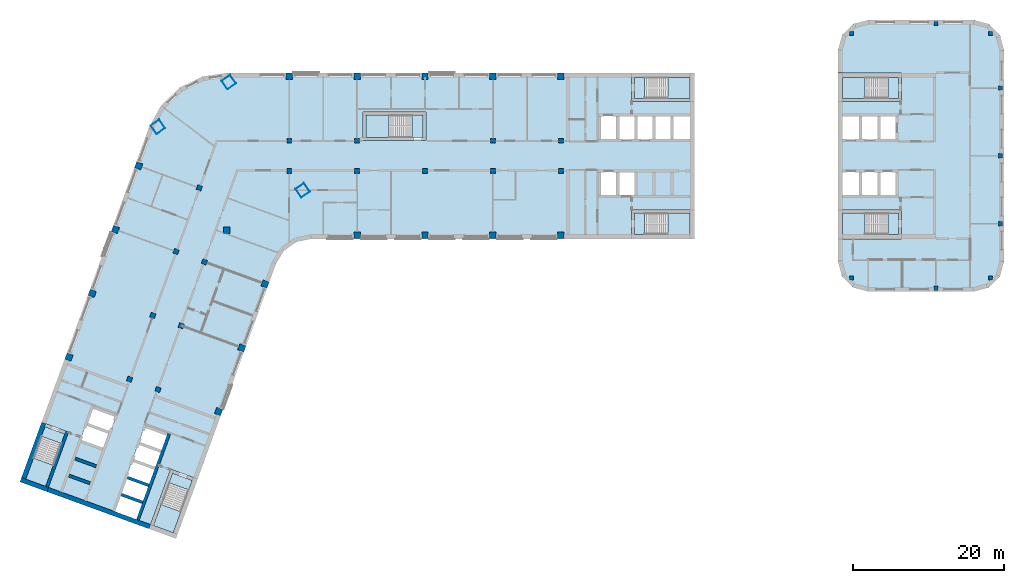
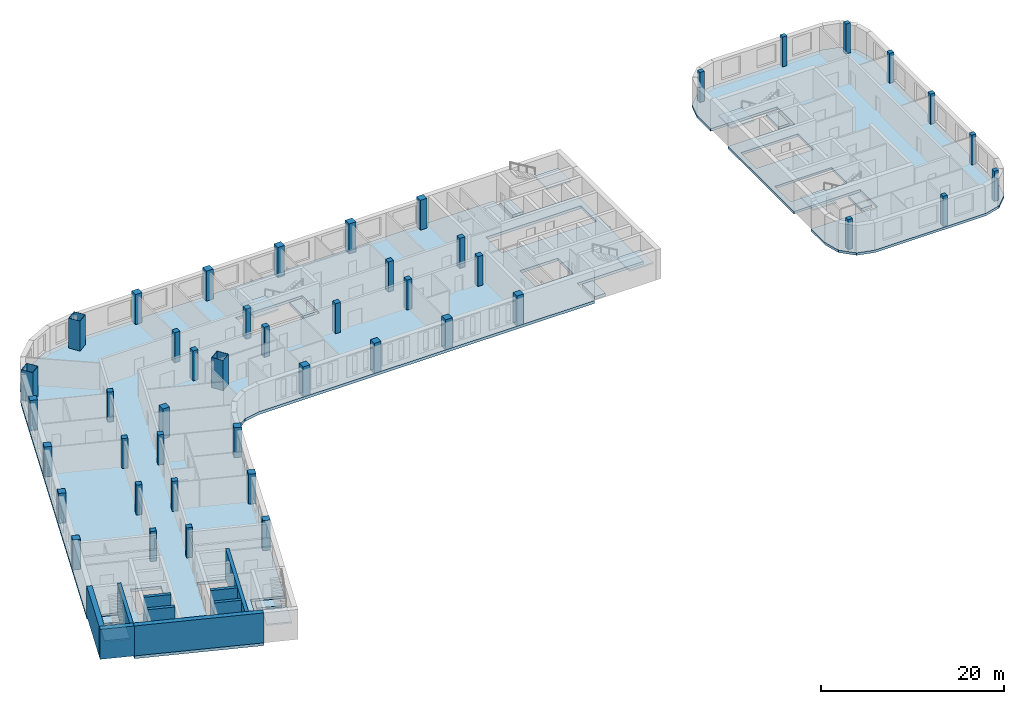
# One storey, part 1 of 10: 45 columns, 16 slabs, 9 walls, 7 elements without a shape of their own.
"""IFC4 building model written with IfcOpenShell, lengths in metres."""

from ifc_helpers import new_model, si_unit, direction, frame, frame_2d, origin, origin_2d, place, context, subcontext, project, spatial, polyline, rectangle, hollow_rectangle, outline, extrude, material, layer, layer_set, material_profile, profile_set, type_object, element, aggregate, save


model = new_model("IFC4")

# Units and contexts
model_context = context("Model", 3, precision=1e-05, world=origin(), true_north=direction((0.0, 1.0)))
body_context = subcontext(model_context, "Body", "Model", "MODEL_VIEW")
ifc_project = project(units=[si_unit("LENGTHUNIT", "METRE"), si_unit("AREAUNIT", "SQUARE_METRE"), si_unit("VOLUMEUNIT", "CUBIC_METRE"), si_unit("PLANEANGLEUNIT", "RADIAN"), si_unit("MASSUNIT", "GRAM", prefix="KILO")], contexts=[model_context])

# Site, building, storey
site_placement = place(None, origin())
site = spatial("IfcSite", under=ifc_project, at=site_placement, CompositionType="ELEMENT")
building_placement = place(site_placement, origin())
building = spatial("IfcBuilding", under=site, at=building_placement, Name="Skarvind Civic Tower", CompositionType="ELEMENT")
storey_placement = place(building_placement, frame((0.0, 0.0, 101.0)))
storey = spatial("IfcBuildingStorey", under=building, at=storey_placement, Name="L23", CompositionType="ELEMENT", Elevation=101.0)

# Columns
ifc_material_1 = material(Name="Concrete C60", Category="concrete")
ifc_material_profile_1 = material_profile(ifc_material_1, rectangle(XDim=0.550048828125, YDim=0.550048828125, at=origin_2d()), Name="RC-550x550")
ifc_profile_set_1 = profile_set([ifc_material_profile_1], Name="Concrete C60")
column_type_1 = type_object("IfcColumnType", Name="Column RC-550x550 C60", PredefinedType="COLUMN", material=ifc_profile_set_1)
for number, where, z_axis, x_axis, name in (
    (1, (128.777099609375, 144.222900390625, 0.0), (0.0, 0.0, 1.0), (1.0, 0.0, 0.0), "Column second tower north-west corner L23"),
    (2, (128.777099609375, 111.777099609375, 0.0), (0.0, 0.0, 1.0), (1.0, 0.0, 0.0), "Column second tower south-west corner L23"),
    (3, (148.550048828125, 119.0, 0.0), (0.0, 0.0, 1.0), (1.0, 0.0, 0.0), "Column second tower middle line 01 L23"),
    (4, (148.550048828125, 128.0, 0.0), (0.0, 0.0, 1.0), (1.0, 0.0, 0.0), "Column second tower middle line 02 L23"),
    (5, (148.550048828125, 137.0, 0.0), (0.0, 0.0, 1.0), (1.0, 0.0, 0.0), "Column second tower middle line 03 L23"),
    (6, (140.0, 145.550048828125, 0.0), (0.0, 0.0, 1.0), (1.0, 0.0, 0.0), "Column second tower north perimeter 02 L23"),
    (7, (147.222900390625, 144.222900390625, 0.0), (0.0, 0.0, 1.0), (1.0, 0.0, 0.0), "Column second tower north perimeter 03 L23"),
    (8, (140.0, 110.449951171875, 0.0), (0.0, 0.0, 1.0), (1.0, 0.0, 0.0), "Column second tower south perimeter 02 L23"),
    (9, (147.222900390625, 111.777099609375, 0.0), (0.0, 0.0, 1.0), (1.0, 0.0, 0.0), "Column second tower south perimeter 03 L23"),
):
    element("IfcColumn", number, at=place(storey_placement, frame(where, z_axis=z_axis, x_axis=x_axis)), inside=storey, type_object=column_type_1, Name=name, PredefinedType="COLUMN", context=body_context, shape_type="SweptSolid", body=[
        extrude(rectangle(XDim=0.550048828125, YDim=0.550048828125, at=origin_2d()), origin(), (0.0, 0.0, 1.0), 4.0),
    ])
ifc_material_profile_2 = material_profile(ifc_material_1, rectangle(XDim=0.64990234375, YDim=0.64990234375, at=origin_2d()), Name="RC-650x650")
ifc_profile_set_2 = profile_set([ifc_material_profile_2], Name="Concrete C60")
column_type_2 = type_object("IfcColumnType", Name="Column RC-650x650 C60", PredefinedType="COLUMN", material=ifc_profile_set_2)
for number, where, z_axis, x_axis, name in (
    (10, (54.25, 130.0, 0.0), (0.0, 0.0, 1.0), (1.0, 0.0, 0.0), "Column wing 1 north inner 02 L23"),
    (11, (63.25, 130.0, 0.0), (0.0, 0.0, 1.0), (1.0, 0.0, 0.0), "Column wing 1 north inner 03 L23"),
    (12, (81.25, 130.0, 0.0), (0.0, 0.0, 1.0), (1.0, 0.0, 0.0), "Column wing 1 north inner 05 L23"),
    (13, (90.25, 130.0, 0.0), (0.0, 0.0, 1.0), (1.0, 0.0, 0.0), "Column wing 1 north inner 06 L23"),
    (14, (54.25, 126.0, 0.0), (0.0, 0.0, 1.0), (1.0, 0.0, 0.0), "Column wing 1 south inner 02 L23"),
    (15, (63.25, 126.0, 0.0), (0.0, 0.0, 1.0), (1.0, 0.0, 0.0), "Column wing 1 south inner 03 L23"),
    (16, (72.25, 126.0, 0.0), (0.0, 0.0, 1.0), (1.0, 0.0, 0.0), "Column wing 1 south inner 04 L23"),
    (17, (81.25, 126.0, 0.0), (0.0, 0.0, 1.0), (1.0, 0.0, 0.0), "Column wing 1 south inner 05 L23"),
    (18, (90.25, 126.0, 0.0), (0.0, 0.0, 1.0), (1.0, 0.0, 0.0), "Column wing 1 south inner 06 L23"),
    (19, (43.005615234375, 113.92529296875, 0.0), (0.0, 0.0, 1.0), (-0.342020143326, -0.939692620786, 0.0), "Column wing 2 left inner 02 L23"),
    (20, (39.927490234375, 105.468017578125, 0.0), (0.0, 0.0, 1.0), (-0.342020143326, -0.939692620786, 0.0), "Column wing 2 left inner 03 L23"),
    (21, (36.84912109375, 97.010986328125, 0.0), (0.0, 0.0, 1.0), (-0.342020143326, -0.939692620786, 0.0), "Column wing 2 left inner 04 L23"),
    (22, (42.324951171875, 123.750732421875, 0.0), (0.0, 0.0, 1.0), (-0.342020143326, -0.939692620786, 0.0), "Column wing 2 right inner 01 L23"),
    (23, (39.246826171875, 115.29345703125, 0.0), (0.0, 0.0, 1.0), (-0.342020143326, -0.939692620786, 0.0), "Column wing 2 right inner 02 L23"),
    (24, (36.168701171875, 106.836181640625, 0.0), (0.0, 0.0, 1.0), (-0.342020143326, -0.939692620786, 0.0), "Column wing 2 right inner 03 L23"),
    (25, (33.090576171875, 98.37890625, 0.0), (0.0, 0.0, 1.0), (-0.342020143326, -0.939692620786, 0.0), "Column wing 2 right inner 04 L23"),
):
    element("IfcColumn", number, at=place(storey_placement, frame(where, z_axis=z_axis, x_axis=x_axis)), inside=storey, type_object=column_type_2, Name=name, PredefinedType="COLUMN", context=body_context, shape_type="SweptSolid", body=[
        extrude(rectangle(XDim=0.64990234375, YDim=0.64990234375, at=origin_2d()), origin(), (0.0, 0.0, 1.0), 4.0),
    ])
ifc_material_2 = material(Name="Concrete C80", Category="concrete")
ifc_material_profile_3 = material_profile(ifc_material_2, rectangle(XDim=0.85009765625, YDim=0.85009765625, at=origin_2d()), Name="RC-850x850")
ifc_profile_set_3 = profile_set([ifc_material_profile_3], Name="Concrete C80")
column_type_3 = type_object("IfcColumnType", Name="Column RC-850x850 C80", PredefinedType="COLUMN", material=ifc_profile_set_3)
for number, where, z_axis, x_axis, name in (
    (26, (54.25, 138.550048828125, 0.0), (0.0, 0.0, 1.0), (1.0, 0.0, 0.0), "Column wing 1 north perimeter 02 L23"),
    (27, (63.25, 138.550048828125, 0.0), (0.0, 0.0, 1.0), (1.0, 0.0, 0.0), "Column wing 1 north perimeter 03 L23"),
    (28, (72.25, 138.550048828125, 0.0), (0.0, 0.0, 1.0), (1.0, 0.0, 0.0), "Column wing 1 north perimeter 04 L23"),
    (29, (81.25, 138.550048828125, 0.0), (0.0, 0.0, 1.0), (1.0, 0.0, 0.0), "Column wing 1 north perimeter 05 L23"),
    (30, (90.25, 138.550048828125, 0.0), (0.0, 0.0, 1.0), (1.0, 0.0, 0.0), "Column wing 1 north perimeter 06 L23"),
    (31, (45.95166015625, 118.151611328125, 0.0), (0.0, 0.0, 1.0), (1.0, 0.0, 0.0), "Column wing 1 south perimeter 01 L23"),
    (32, (63.25, 117.449951171875, 0.0), (0.0, 0.0, 1.0), (1.0, 0.0, 0.0), "Column wing 1 south perimeter 03 L23"),
    (33, (72.25, 117.449951171875, 0.0), (0.0, 0.0, 1.0), (1.0, 0.0, 0.0), "Column wing 1 south perimeter 04 L23"),
    (34, (81.25, 117.449951171875, 0.0), (0.0, 0.0, 1.0), (1.0, 0.0, 0.0), "Column wing 1 south perimeter 05 L23"),
    (35, (90.25, 117.449951171875, 0.0), (0.0, 0.0, 1.0), (1.0, 0.0, 0.0), "Column wing 1 south perimeter 06 L23"),
    (36, (51.0400390625, 111.0009765625, 0.0), (0.0, 0.0, 1.0), (-0.342020143326, -0.939692620786, 0.0), "Column wing 2 left perimeter 02 L23"),
    (37, (47.961669921875, 102.5439453125, 0.0), (0.0, 0.0, 1.0), (-0.342020143326, -0.939692620786, 0.0), "Column wing 2 left perimeter 03 L23"),
    (38, (44.883544921875, 94.086669921875, 0.0), (0.0, 0.0, 1.0), (-0.342020143326, -0.939692620786, 0.0), "Column wing 2 left perimeter 04 L23"),
    (39, (34.29052734375, 126.6748046875, 0.0), (0.0, 0.0, 1.0), (-0.342020143326, -0.939692620786, 0.0), "Column wing 2 right perimeter 01 L23"),
    (40, (31.21240234375, 118.2177734375, 0.0), (0.0, 0.0, 1.0), (-0.342020143326, -0.939692620786, 0.0), "Column wing 2 right perimeter 02 L23"),
    (41, (28.13427734375, 109.760498046875, 0.0), (0.0, 0.0, 1.0), (-0.342020143326, -0.939692620786, 0.0), "Column wing 2 right perimeter 03 L23"),
    (42, (25.05615234375, 101.30322265625, 0.0), (0.0, 0.0, 1.0), (-0.342020143326, -0.939692620786, 0.0), "Column wing 2 right perimeter 04 L23"),
):
    element("IfcColumn", number, at=place(storey_placement, frame(where, z_axis=z_axis, x_axis=x_axis)), inside=storey, type_object=column_type_3, Name=name, PredefinedType="COLUMN", context=body_context, shape_type="SweptSolid", body=[
        extrude(rectangle(XDim=0.85009765625, YDim=0.85009765625, at=origin_2d()), origin(), (0.0, 0.0, 1.0), 4.0),
    ])
ifc_material_3 = material(Name="Composite concrete-filled steel tube, Steel SM355 with Concrete C80", Category="concrete")
ifc_material_profile_4 = material_profile(ifc_material_3, hollow_rectangle(XDim=1.39990234375, YDim=1.39990234375, WallThickness=0.0400390625, at=origin_2d()), Name="BOX-1400x1400x40")
ifc_profile_set_4 = profile_set([ifc_material_profile_4], Name="Composite concrete-filled steel tube, Steel SM355 with Concrete C80")
column_type_4 = type_object("IfcColumnType", Name="Mega column BOX-1400x1400x40 filled C80", PredefinedType="COLUMN", material=ifc_profile_set_4)
for number, where, z_axis, x_axis, name in (
    (43, (36.845947265625, 131.837646484375, 0.0), (0.0, 0.0, 1.0), (0.573576436351, -0.819152044289, 0.0), "Mega column 1 L23"),
    (44, (46.2470703125, 137.762451171875, 0.0), (0.0, 0.0, 1.0), (0.573576436351, -0.819152044289, 0.0), "Mega column 2 L23"),
    (45, (56.0361328125, 123.43017578125, 0.0), (0.0, 0.0, 1.0), (0.573576436351, -0.819152044289, 0.0), "Mega column 4 L23"),
):
    element("IfcColumn", number, at=place(storey_placement, frame(where, z_axis=z_axis, x_axis=x_axis)), inside=storey, type_object=column_type_4, Name=name, PredefinedType="COLUMN", context=body_context, shape_type="SweptSolid", body=[
        extrude(hollow_rectangle(XDim=1.39990234375, YDim=1.39990234375, WallThickness=0.0400390625, at=origin_2d()), origin(), (0.0, 0.0, 1.0), 4.0),
    ])

# Slabs
ifc_material_4 = material(Name="Concrete C50", Category="concrete")
ifc_layer_1 = layer(ifc_material_4, 0.375)
ifc_layer_set_1 = layer_set([ifc_layer_1], Name="Floor slab 375 C50")
slab_type_1 = type_object("IfcSlabType", Name="Floor slab 375 C50", PredefinedType="FLOOR", material=ifc_layer_set_1)
slab_1_placement = place(storey_placement, frame((0.0, 0.0, -0.375)))
element("IfcSlab", 46, at=slab_1_placement, inside=storey, type_object=slab_type_1, Name="Floor slab L23 1", PredefinedType="FLOOR", context=body_context, shape_type="SweptSolid", body=[
    extrude(outline(polyline([(99.60009765625, 117.0), (99.60009765625, 120.800048828125), (108.0, 120.800048828125), (108.0, 135.199951171875), (99.60009765625, 135.199951171875), (99.60009765625, 139.0), (46.095458984375, 139.0), (42.739501953125, 138.5009765625), (39.6943359375, 137.005615234375), (37.24755859375, 134.6552734375), (35.630615234375, 131.672607421875), (19.41748046875, 87.126708984375), (21.435302734375, 92.6708984375), (25.006103515625, 91.371337890625), (22.13330078125, 83.477783203125), (36.886474609375, 78.108154296875), (35.664794921875, 78.552734375), (38.53759765625, 86.4462890625), (42.108642578125, 85.146484375), (40.0908203125, 79.602294921875), (40.0908203125, 79.602294921875), (52.493896484375, 113.68017578125), (53.560791015625, 115.421630859375), (55.23388671875, 116.593017578125), (57.235107421875, 117.0), (99.60009765625, 117.0)]), holes=[polyline([(32.625244140625, 85.40576171875), (33.446044921875, 87.660888671875), (34.26708984375, 89.916259765625), (35.087890625, 92.17138671875), (38.28271484375, 91.008544921875), (37.4619140625, 88.75341796875), (36.64111328125, 86.498046875), (35.8203125, 84.242919921875), (35.8203125, 84.242919921875), (34.99951171875, 81.987548828125), (34.178466796875, 79.732421875), (30.983642578125, 80.89501953125), (31.804443359375, 83.150390625), (32.625244140625, 85.40576171875), (32.625244140625, 85.40576171875)]), polyline([(31.3291015625, 93.53955078125), (30.50830078125, 91.2841796875), (29.6875, 89.029052734375), (26.492431640625, 90.19189453125), (27.313232421875, 92.447021484375), (28.134033203125, 94.702392578125), (31.3291015625, 93.53955078125)]), polyline([(64.0, 130.0), (64.0, 133.800048828125), (72.39990234375, 133.800048828125), (72.39990234375, 130.0), (64.0, 130.0)]), polyline([(100.199951171875, 126.0), (100.199951171875, 122.60009765625), (97.800048828125, 122.60009765625), (95.39990234375, 122.60009765625), (95.39990234375, 126.0), (97.800048828125, 126.0), (100.199951171875, 126.0)]), polyline([(100.199951171875, 133.39990234375), (102.60009765625, 133.39990234375), (105.0, 133.39990234375), (107.39990234375, 133.39990234375), (107.39990234375, 130.0), (105.0, 130.0), (102.60009765625, 130.0), (100.199951171875, 130.0), (97.800048828125, 130.0), (95.39990234375, 130.0), (95.39990234375, 133.39990234375), (97.800048828125, 133.39990234375), (100.199951171875, 133.39990234375)])]), origin(), (0.0, 0.0, 1.0), 0.375),
])
ifc_layer_2 = layer(ifc_material_4, 0.324951171875)
ifc_layer_set_2 = layer_set([ifc_layer_2], Name="Second tower floor slab 325 C50")
slab_type_2 = type_object("IfcSlabType", Name="Second tower floor slab 325 C50", PredefinedType="FLOOR", material=ifc_layer_set_2)
slab_2_placement = place(storey_placement, frame((0.0, 0.0, -0.324951171875)))
element("IfcSlab", 47, at=slab_2_placement, inside=storey, type_object=slab_type_2, Name="Floor slab L23 1", PredefinedType="FLOOR", context=body_context, shape_type="SweptSolid", body=[
    extrude(outline(polyline([(127.0, 139.0), (135.39990234375, 139.0), (135.39990234375, 135.199951171875), (127.0, 135.199951171875), (127.0, 120.800048828125), (135.39990234375, 120.800048828125), (135.39990234375, 117.0), (127.0, 117.0), (127.0, 114.0), (127.535888671875, 112.0), (129.0, 110.535888671875), (131.0, 110.0), (145.0, 110.0), (147.0, 110.535888671875), (148.464111328125, 112.0), (149.0, 114.0), (149.0, 142.0), (148.464111328125, 144.0), (147.0, 145.464111328125), (145.0, 146.0), (131.0, 146.0), (129.0, 145.464111328125), (127.535888671875, 144.0), (127.0, 142.0), (127.0, 139.0)]), holes=[polyline([(132.39990234375, 126.0), (134.800048828125, 126.0), (134.800048828125, 122.60009765625), (132.39990234375, 122.60009765625), (130.0, 122.60009765625), (127.60009765625, 122.60009765625), (127.60009765625, 126.0), (130.0, 126.0), (132.39990234375, 126.0)]), polyline([(130.0, 133.39990234375), (132.39990234375, 133.39990234375), (134.800048828125, 133.39990234375), (134.800048828125, 130.0), (132.39990234375, 130.0), (130.0, 130.0), (127.60009765625, 130.0), (127.60009765625, 133.39990234375), (130.0, 133.39990234375)])]), origin(), (0.0, 0.0, 1.0), 0.324951171875),
])
ifc_material_5 = material(Name="Concrete C40/50", Category="concrete")
ifc_layer_3 = layer(ifc_material_5, 0.375)
ifc_layer_set_3 = layer_set([ifc_layer_3], Name="Stair floor landing slab 375")
slab_type_3 = type_object("IfcSlabType", Name="Stair floor landing slab 375", PredefinedType="LANDING", material=ifc_layer_set_3)
slab_3_placement = place(storey_placement, frame((0.0, 0.0, -0.375)))
element("IfcSlab", 48, at=slab_3_placement, inside=storey, type_object=slab_type_3, Name="Stair floor landing", PredefinedType="LANDING", context=body_context, shape_type="SweptSolid", body=[
    extrude(outline(polyline([(101.3505859375, 138.400634765625), (101.3505859375, 135.599365234375), (99.99951171875, 135.599365234375), (99.99951171875, 138.400634765625), (101.3505859375, 138.400634765625)])), origin(), (0.0, 0.0, 1.0), 0.375),
])
slab_4_placement = place(storey_placement, frame((0.0, 0.0, -0.375)))
element("IfcSlab", 49, at=slab_4_placement, inside=storey, type_object=slab_type_3, Name="Stair floor landing", PredefinedType="LANDING", context=body_context, shape_type="SweptSolid", body=[
    extrude(outline(polyline([(101.3505859375, 120.400634765625), (101.3505859375, 117.599365234375), (99.99951171875, 117.599365234375), (99.99951171875, 120.400634765625), (101.3505859375, 120.400634765625)])), origin(), (0.0, 0.0, 1.0), 0.375),
])
slab_5_placement = place(storey_placement, frame((0.0, 0.0, -0.375)))
element("IfcSlab", 50, at=slab_5_placement, inside=storey, type_object=slab_type_3, Name="Stair floor landing", PredefinedType="LANDING", context=body_context, shape_type="SweptSolid", body=[
    extrude(outline(polyline([(40.946533203125, 83.70654296875), (38.314208984375, 84.66455078125), (38.7763671875, 85.934326171875), (41.40869140625, 84.976318359375), (40.946533203125, 83.70654296875)])), origin(), (0.0, 0.0, 1.0), 0.375),
])
slab_6_placement = place(storey_placement, frame((0.0, 0.0, -0.375)))
element("IfcSlab", 51, at=slab_6_placement, inside=storey, type_object=slab_type_3, Name="Stair floor landing", PredefinedType="LANDING", context=body_context, shape_type="SweptSolid", body=[
    extrude(outline(polyline([(24.0322265625, 89.863037109375), (21.39990234375, 90.821044921875), (21.862060546875, 92.090576171875), (24.494384765625, 91.132568359375), (24.0322265625, 89.863037109375)])), origin(), (0.0, 0.0, 1.0), 0.375),
])
slab_7_placement = place(storey_placement, frame((0.0, 0.0, -0.375)))
element("IfcSlab", 52, at=slab_7_placement, inside=storey, type_object=slab_type_3, Name="Stair floor landing", PredefinedType="LANDING", context=body_context, shape_type="SweptSolid", body=[
    extrude(outline(polyline([(133.6494140625, 117.599365234375), (133.6494140625, 120.400634765625), (135.00048828125, 120.400634765625), (135.00048828125, 117.599365234375), (133.6494140625, 117.599365234375)])), origin(), (0.0, 0.0, 1.0), 0.375),
])
slab_8_placement = place(storey_placement, frame((0.0, 0.0, -0.375)))
element("IfcSlab", 53, at=slab_8_placement, inside=storey, type_object=slab_type_3, Name="Stair floor landing", PredefinedType="LANDING", context=body_context, shape_type="SweptSolid", body=[
    extrude(outline(polyline([(133.6494140625, 135.599365234375), (133.6494140625, 138.400634765625), (135.00048828125, 138.400634765625), (135.00048828125, 135.599365234375), (133.6494140625, 135.599365234375)])), origin(), (0.0, 0.0, 1.0), 0.375),
])
slab_9_placement = place(storey_placement, frame((0.0, 0.0, -0.375)))
element("IfcSlab", 54, at=slab_9_placement, inside=storey, type_object=slab_type_3, Name="Stair floor landing", PredefinedType="LANDING", context=body_context, shape_type="SweptSolid", body=[
    extrude(outline(polyline([(70.54931640625, 130.3994140625), (70.54931640625, 133.400634765625), (72.00048828125, 133.400634765625), (72.00048828125, 130.3994140625), (70.54931640625, 130.3994140625)])), origin(), (0.0, 0.0, 1.0), 0.375),
])

# Stair, slab
stair_type_1 = type_object("IfcStairType", Name="Exit stair, half-turn, concrete", PredefinedType="HALF_TURN_STAIR", material=ifc_material_5)
stair_1_placement = place(storey_placement, origin())
stair_1 = element("IfcStair", 55, at=stair_1_placement, inside=storey, type_object=stair_type_1, Name="Exit stair C1S", PredefinedType="HALF_TURN_STAIR")
ifc_layer_4 = layer(ifc_material_5, 0.199951171875)
ifc_layer_set_4 = layer_set([ifc_layer_4], Name="Stair half landing slab")
slab_type_4 = type_object("IfcSlabType", Name="Stair half landing slab", PredefinedType="LANDING", material=ifc_layer_set_4)
slab_10_placement = place(storey_placement, frame((0.0, 0.0, 1.800048828125)))
slab_10 = element("IfcSlab", 56, at=slab_10_placement, type_object=slab_type_4, Name="ST-C1S landing 1", PredefinedType="LANDING", context=body_context, shape_type="SweptSolid", body=[
    extrude(outline(polyline([(104.429443359375, 135.599365234375), (104.429443359375, 138.400634765625), (107.400634765625, 138.400634765625), (107.400634765625, 135.599365234375), (104.429443359375, 135.599365234375)])), origin(), (0.0, 0.0, 1.0), 0.199951171875),
])
aggregate(stair_1, [slab_10])

stair_2_placement = place(storey_placement, origin())
stair_2 = element("IfcStair", 57, at=stair_2_placement, inside=storey, type_object=stair_type_1, Name="Exit stair C1N", PredefinedType="HALF_TURN_STAIR")
slab_11_placement = place(storey_placement, frame((0.0, 0.0, 1.800048828125)))
slab_11 = element("IfcSlab", 58, at=slab_11_placement, type_object=slab_type_4, Name="ST-C1N landing 1", PredefinedType="LANDING", context=body_context, shape_type="SweptSolid", body=[
    extrude(outline(polyline([(104.429443359375, 117.599365234375), (104.429443359375, 120.400634765625), (107.400634765625, 120.400634765625), (107.400634765625, 117.599365234375), (104.429443359375, 117.599365234375)])), origin(), (0.0, 0.0, 1.0), 0.199951171875),
])
aggregate(stair_2, [slab_11])

stair_3_placement = place(storey_placement, origin())
stair_3 = element("IfcStair", 59, at=stair_3_placement, inside=storey, type_object=stair_type_1, Name="Exit stair C2S", PredefinedType="HALF_TURN_STAIR")
slab_12_placement = place(storey_placement, frame((0.0, 0.0, 1.800048828125)))
slab_12 = element("IfcSlab", 60, at=slab_12_placement, type_object=slab_type_4, Name="ST-C2S landing 1", PredefinedType="LANDING", context=body_context, shape_type="SweptSolid", body=[
    extrude(outline(polyline([(37.26123046875, 81.771484375), (39.8935546875, 80.8134765625), (38.87744140625, 78.021484375), (36.2451171875, 78.9794921875), (37.26123046875, 81.771484375)])), origin(), (0.0, 0.0, 1.0), 0.199951171875),
])
aggregate(stair_3, [slab_12])

stair_4_placement = place(storey_placement, origin())
stair_4 = element("IfcStair", 61, at=stair_4_placement, inside=storey, type_object=stair_type_1, Name="Exit stair C2N", PredefinedType="HALF_TURN_STAIR")
slab_13_placement = place(storey_placement, frame((0.0, 0.0, 1.800048828125)))
slab_13 = element("IfcSlab", 62, at=slab_13_placement, type_object=slab_type_4, Name="ST-C2N landing 1", PredefinedType="LANDING", context=body_context, shape_type="SweptSolid", body=[
    extrude(outline(polyline([(20.346923828125, 87.927734375), (22.97900390625, 86.9697265625), (21.962890625, 84.177734375), (19.33056640625, 85.1357421875), (20.346923828125, 87.927734375)])), origin(), (0.0, 0.0, 1.0), 0.199951171875),
])
aggregate(stair_4, [slab_13])

stair_5_placement = place(storey_placement, origin())
stair_5 = element("IfcStair", 63, at=stair_5_placement, inside=storey, type_object=stair_type_1, Name="Exit stair CAS", PredefinedType="HALF_TURN_STAIR")
slab_14_placement = place(storey_placement, frame((0.0, 0.0, 1.800048828125)))
slab_14 = element("IfcSlab", 64, at=slab_14_placement, type_object=slab_type_4, Name="ST-CAS landing 1", PredefinedType="LANDING", context=body_context, shape_type="SweptSolid", body=[
    extrude(outline(polyline([(130.570556640625, 120.400634765625), (130.570556640625, 117.599365234375), (127.599365234375, 117.599365234375), (127.599365234375, 120.400634765625), (130.570556640625, 120.400634765625)])), origin(), (0.0, 0.0, 1.0), 0.199951171875),
])
aggregate(stair_5, [slab_14])

stair_6_placement = place(storey_placement, origin())
stair_6 = element("IfcStair", 65, at=stair_6_placement, inside=storey, type_object=stair_type_1, Name="Exit stair CAN", PredefinedType="HALF_TURN_STAIR")
slab_15_placement = place(storey_placement, frame((0.0, 0.0, 1.800048828125)))
slab_15 = element("IfcSlab", 66, at=slab_15_placement, type_object=slab_type_4, Name="ST-CAN landing 1", PredefinedType="LANDING", context=body_context, shape_type="SweptSolid", body=[
    extrude(outline(polyline([(130.570556640625, 138.400634765625), (130.570556640625, 135.599365234375), (127.599365234375, 135.599365234375), (127.599365234375, 138.400634765625), (130.570556640625, 138.400634765625)])), origin(), (0.0, 0.0, 1.0), 0.199951171875),
])
aggregate(stair_6, [slab_15])

stair_type_2 = type_object("IfcStairType", Name="Exit stair 1450, half-turn, concrete", PredefinedType="HALF_TURN_STAIR", material=ifc_material_5)
stair_7_placement = place(storey_placement, origin())
stair_7 = element("IfcStair", 67, at=stair_7_placement, inside=storey, type_object=stair_type_2, Name="Exit stair CM", PredefinedType="HALF_TURN_STAIR")
slab_16_placement = place(storey_placement, frame((0.0, 0.0, 1.800048828125)))
slab_16 = element("IfcSlab", 68, at=slab_16_placement, type_object=slab_type_4, Name="ST-CM landing 1", PredefinedType="LANDING", context=body_context, shape_type="SweptSolid", body=[
    extrude(outline(polyline([(67.470703125, 133.400634765625), (67.470703125, 130.3994140625), (64.3994140625, 130.3994140625), (64.3994140625, 133.400634765625), (67.470703125, 133.400634765625)])), origin(), (0.0, 0.0, 1.0), 0.199951171875),
])
aggregate(stair_7, [slab_16])

# Walls
ifc_layer_5 = layer(ifc_material_2, 0.39990234375)
ifc_layer_set_5 = layer_set([ifc_layer_5], Name="Core wall 400 C80")
wall_type_1 = type_object("IfcWallType", Name="Core wall 400 C80", PredefinedType="SHEAR", material=ifc_layer_set_5)
wall_1_placement = place(storey_placement, frame((22.150390625, 84.110107421875, 0.0), z_axis=(0.0, 0.0, 1.0), x_axis=(0.342016982193, 0.939693771338, 0.0)))
element("IfcWall", 69, at=wall_1_placement, inside=storey, type_object=wall_type_1, Name="Core wall C2 north stair inner L23", PredefinedType="SHEAR", context=body_context, shape_type="SweptSolid", body=[
    extrude(rectangle(XDim=7.800048828125, YDim=0.39990234375, at=frame_2d((3.89990234375, 0.0))), origin(), (0.0, 0.0, 1.0), 4.0),
])
wall_2_placement = place(storey_placement, frame((34.178466796875, 79.732177734375, 0.0), z_axis=(0.0, 0.0, 1.0), x_axis=(0.342014590177, 0.939694641948, 0.0)))
element("IfcWall", 70, at=wall_2_placement, inside=storey, type_object=wall_type_1, Name="Core wall C2 south lift row back L23", PredefinedType="SHEAR", context=body_context, shape_type="SweptSolid", body=[
    extrude(rectangle(XDim=12.2001953125, YDim=0.39990234375, at=frame_2d((6.10009765625, 0.0))), origin(), (0.0, 0.0, 1.0), 4.0),
])
for number, where, z_axis, x_axis, name in (
    (71, (34.8115234375, 82.055908203125, 0.0), (0.0, 0.0, 1.0), (-0.939686455819, 0.342037080957, 0.0), "Core wall C2 south lift row division 1 L23"),
    (72, (35.63232421875, 84.311279296875, 0.0), (0.0, 0.0, 1.0), (-0.939712609717, 0.341965219194, 0.0), "Core wall C2 south lift row division 2 L23"),
    (73, (27.857666015625, 84.5869140625, 0.0), (0.0, 0.0, 1.0), (-0.939686455819, 0.342037080957, 0.0), "Core wall C2 north lift row division 1 L23"),
):
    element("IfcWall", number, at=place(storey_placement, frame(where, z_axis=z_axis, x_axis=x_axis)), inside=storey, type_object=wall_type_1, Name=name, PredefinedType="SHEAR", context=body_context, shape_type="SweptSolid", body=[
        extrude(rectangle(XDim=3.0, YDim=0.39990234375, at=frame_2d((1.5, 0.0))), origin(), (0.0, 0.0, 1.0), 4.0),
    ])
wall_3_placement = place(storey_placement, frame((28.678466796875, 86.842041015625, 0.0), z_axis=(0.0, 0.0, 1.0), x_axis=(-0.939676934218, 0.342063238742, 0.0)))
element("IfcWall", 74, at=wall_3_placement, inside=storey, type_object=wall_type_1, Name="Core wall C2 north lift row division 2 L23", PredefinedType="SHEAR", context=body_context, shape_type="SweptSolid", body=[
    extrude(rectangle(XDim=2.999755859375, YDim=0.39990234375, at=frame_2d((1.5, 0.0))), origin(), (0.0, 0.0, 1.0), 4.0),
])
ifc_layer_6 = layer(ifc_material_2, 0.60009765625)
ifc_layer_set_6 = layer_set([ifc_layer_6], Name="Core wall 600 C80")
wall_type_2 = type_object("IfcWallType", Name="Core wall 600 C80", PredefinedType="SHEAR", material=ifc_layer_set_6)
wall_4_placement = place(storey_placement, frame((35.767333984375, 78.834716796875, 0.0), z_axis=(0.0, 0.0, 1.0), x_axis=(-0.939692894512, 0.342019391267, 0.0)))
element("IfcWall", 75, at=wall_4_placement, inside=storey, type_object=wall_type_2, Name="Core wall C2 tip between the stairs L23", PredefinedType="SHEAR", context=body_context, shape_type="SweptSolid", body=[
    extrude(rectangle(XDim=14.39990234375, YDim=0.60009765625, at=frame_2d((7.199951171875, 0.0))), origin(), (0.0, 0.0, 1.0), 4.0),
])
wall_5_placement = place(storey_placement, frame((22.23583984375, 83.759765625, 0.0), z_axis=(0.0, 0.0, 1.0), x_axis=(-0.939680822529, 0.342052557032, 0.0)))
element("IfcWall", 76, at=wall_5_placement, inside=storey, type_object=wall_type_2, Name="Core wall C2 tip at the north stair L23", PredefinedType="SHEAR", context=body_context, shape_type="SweptSolid", body=[
    extrude(rectangle(XDim=3.800048828125, YDim=0.60009765625, at=frame_2d((1.89990234375, 0.0))), origin(), (0.0, 0.0, 1.0), 4.0),
])
wall_6_placement = place(storey_placement, frame((19.049560546875, 85.23876953125, 0.0), z_axis=(0.0, 0.0, 1.0), x_axis=(0.342016982193, 0.939693771338, 0.0)))
element("IfcWall", 77, at=wall_6_placement, inside=storey, type_object=wall_type_2, Name="Core wall C2 north side at the stair L23", PredefinedType="SHEAR", context=body_context, shape_type="SweptSolid", body=[
    extrude(rectangle(XDim=7.800048828125, YDim=0.60009765625, at=frame_2d((3.89990234375, 0.0))), origin(), (0.0, 0.0, 1.0), 4.0),
])

save(model, "model.ifc")
